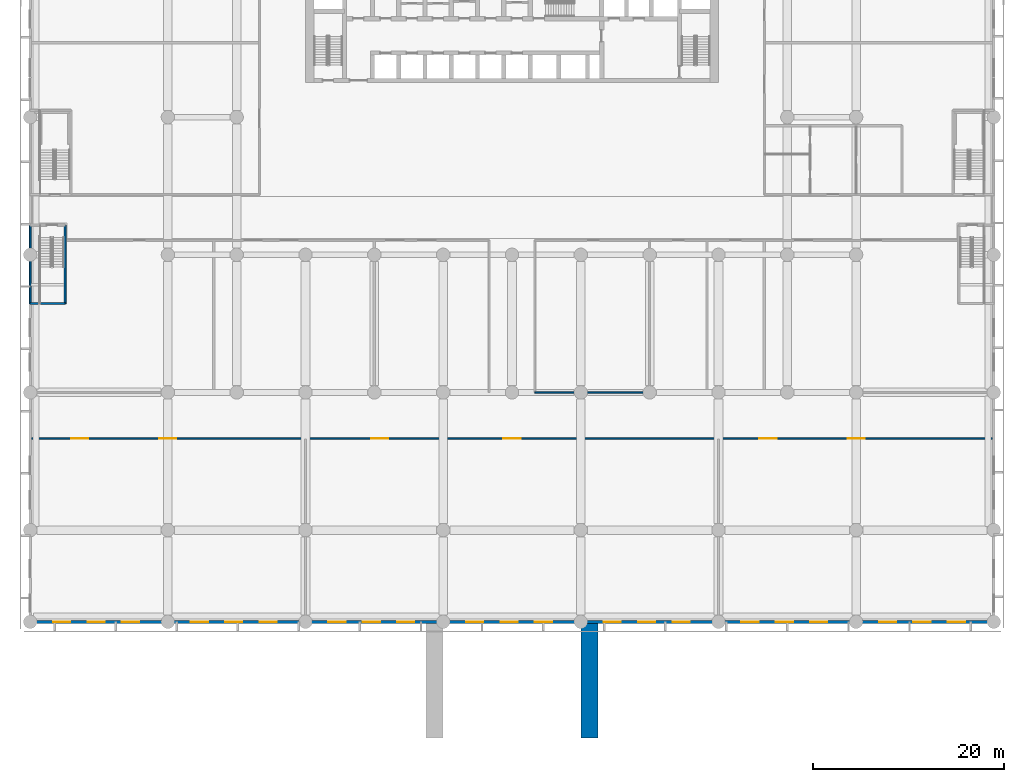
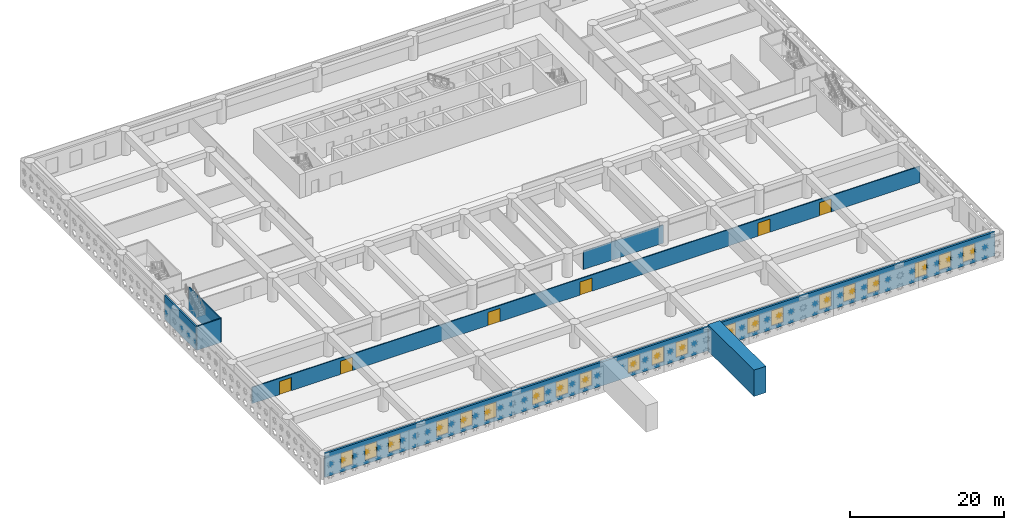
# One storey, part 3 of 23: 21 windows, 7 walls, 6 doors, 27 openings.
"""IFC4 building model written with IfcOpenShell, lengths in metres."""

from ifc_helpers import new_model, si_unit, direction, frame, frame_2d, origin, place, context, subcontext, project, spatial, rectangle, extrude, material, layer, layer_set, type_object, element, fill, save


model = new_model("IFC4")

# Units and contexts
model_context = context("Model", 3, precision=1e-05, world=origin(), true_north=direction((0.0, 1.0)))
body_context = subcontext(model_context, "Body", "Model", "MODEL_VIEW")
ifc_project = project(units=[si_unit("LENGTHUNIT", "METRE"), si_unit("AREAUNIT", "SQUARE_METRE"), si_unit("VOLUMEUNIT", "CUBIC_METRE"), si_unit("PLANEANGLEUNIT", "RADIAN"), si_unit("MASSUNIT", "GRAM", prefix="KILO")], contexts=[model_context])

# Site, building, storey
site_placement = place(None, origin())
site = spatial("IfcSite", under=ifc_project, at=site_placement, CompositionType="ELEMENT")
building_placement = place(site_placement, origin())
building = spatial("IfcBuilding", under=site, at=building_placement, Name="Saffron Iwan Residences", CompositionType="ELEMENT")
storey_placement = place(building_placement, frame((0.0, 0.0, 17.39990234375)))
storey = spatial("IfcBuildingStorey", under=building, at=storey_placement, Name="L03", CompositionType="ELEMENT", Elevation=17.39990234375)

# Wall, openings, doors
ifc_material_1 = material(Name="Concrete blockwork", Category="masonry")
ifc_layer_1 = layer(ifc_material_1, 0.14990234375)
ifc_layer_set_1 = layer_set([ifc_layer_1], Name="Concrete blockwork")
wall_type_1 = type_object("IfcWallType", Name="Blockwork partition 150", PredefinedType="PARTITIONING", material=ifc_layer_set_1)
wall_1_placement = place(storey_placement, frame((0.14990234375, 28.800048828125, 0.0), z_axis=(0.0, 0.0, 1.0), x_axis=(1.0, 0.0, 0.0)))
wall_1 = element("IfcWall", 1, at=wall_1_placement, inside=storey, type_object=wall_type_1, Name="W-L03-002", PredefinedType="PARTITIONING", context=body_context, shape_type="SweptSolid", body=[
    extrude(rectangle(XDim=100.5, YDim=0.14990234375, at=frame_2d((50.25, 0.0))), origin(), (0.0, 0.0, 1.0), 2.60009765625),
])
opening_1_placement = place(wall_1_placement, frame((13.35009765625, 0.0, 0.0)))
opening_1 = element("IfcOpeningElement", 2, at=opening_1_placement, cuts=wall_1, Name="Opening L03.01", PredefinedType="OPENING", context=body_context, shape_type="SweptSolid", body=[
    extrude(rectangle(XDim=1.800048828125, YDim=2.10009765625, at=frame_2d((0.89990234375, 1.050048828125))), frame((0.0, 0.0849609375, 0.0), z_axis=(0.0, -1.0, 0.0), x_axis=(1.0, 0.0, 0.0)), (0.0, 0.0, 1.0), 0.169921875),
])
opening_2_placement = place(wall_1_placement, frame((4.134033203125, 0.0, 0.0)))
opening_2 = element("IfcOpeningElement", 3, at=opening_2_placement, cuts=wall_1, Name="Opening L03.02", PredefinedType="OPENING", context=body_context, shape_type="SweptSolid", body=[
    extrude(rectangle(XDim=1.800048828125, YDim=2.10009765625, at=frame_2d((0.89990234375, 1.050048828125))), frame((0.0, 0.0849609375, 0.0), z_axis=(0.0, -1.0, 0.0), x_axis=(1.0, 0.0, 0.0)), (0.0, 0.0, 1.0), 0.169921875),
])
opening_3_placement = place(wall_1_placement, frame((49.35009765625, 0.0, 0.0)))
opening_3 = element("IfcOpeningElement", 4, at=opening_3_placement, cuts=wall_1, Name="Opening L03.03", PredefinedType="OPENING", context=body_context, shape_type="SweptSolid", body=[
    extrude(rectangle(XDim=1.800048828125, YDim=2.10009765625, at=frame_2d((0.89990234375, 1.050048828125))), frame((0.0, 0.0849609375, 0.0), z_axis=(0.0, -1.0, 0.0), x_axis=(1.0, 0.0, 0.0)), (0.0, 0.0, 1.0), 0.169921875),
])
opening_4_placement = place(wall_1_placement, frame((35.52587890625, 0.0, 0.0)))
opening_4 = element("IfcOpeningElement", 5, at=opening_4_placement, cuts=wall_1, Name="Opening L03.04", PredefinedType="OPENING", context=body_context, shape_type="SweptSolid", body=[
    extrude(rectangle(XDim=1.800048828125, YDim=2.10009765625, at=frame_2d((0.89990234375, 1.050048828125))), frame((0.0, 0.0849609375, 0.0), z_axis=(0.0, -1.0, 0.0), x_axis=(1.0, 0.0, 0.0)), (0.0, 0.0, 1.0), 0.169921875),
])
opening_5_placement = place(wall_1_placement, frame((85.35009765625, 0.0, 0.0)))
opening_5 = element("IfcOpeningElement", 6, at=opening_5_placement, cuts=wall_1, Name="Opening L03.05", PredefinedType="OPENING", context=body_context, shape_type="SweptSolid", body=[
    extrude(rectangle(XDim=1.800048828125, YDim=2.10009765625, at=frame_2d((0.89990234375, 1.050048828125))), frame((0.0, 0.0849609375, 0.0), z_axis=(0.0, -1.0, 0.0), x_axis=(1.0, 0.0, 0.0)), (0.0, 0.0, 1.0), 0.169921875),
])
opening_6_placement = place(wall_1_placement, frame((76.134033203125, 0.0, 0.0)))
opening_6 = element("IfcOpeningElement", 7, at=opening_6_placement, cuts=wall_1, Name="Opening L03.06", PredefinedType="OPENING", context=body_context, shape_type="SweptSolid", body=[
    extrude(rectangle(XDim=1.800048828125, YDim=2.10009765625, at=frame_2d((0.89990234375, 1.050048828125))), frame((0.0, 0.0849609375, 0.0), z_axis=(0.0, -1.0, 0.0), x_axis=(1.0, 0.0, 0.0)), (0.0, 0.0, 1.0), 0.169921875),
])
ifc_material_2 = material(Name="Timber", Category="wood")
door_type = type_object("IfcDoorType", Name="Door 1800x2100", OperationType="DOUBLE_DOOR_SINGLE_SWING", PredefinedType="DOOR", material=ifc_material_2)
door_1_placement = place(opening_1_placement, origin())
door_1 = element("IfcDoor", 8, at=door_1_placement, inside=storey, type_object=door_type, Name="D-L03-001", OperationType="DOUBLE_DOOR_SINGLE_SWING", OverallHeight=2.10009765625, OverallWidth=1.800048828125, PredefinedType="DOOR", context=body_context, shape_type="SweptSolid", body=[
    extrude(rectangle(XDim=1.800048828125, YDim=2.10009765625, at=frame_2d((0.89990234375, 1.050048828125))), frame((0.0, 0.02490234375, 0.0), z_axis=(0.0, -1.0, 0.0), x_axis=(1.0, 0.0, 0.0)), (0.0, 0.0, 1.0), 0.050048828125),
])
fill(opening_1, door_1)
door_2_placement = place(opening_2_placement, origin())
door_2 = element("IfcDoor", 9, at=door_2_placement, inside=storey, type_object=door_type, Name="D-L03-002", OperationType="DOUBLE_DOOR_SINGLE_SWING", OverallHeight=2.10009765625, OverallWidth=1.800048828125, PredefinedType="DOOR", context=body_context, shape_type="SweptSolid", body=[
    extrude(rectangle(XDim=1.800048828125, YDim=2.10009765625, at=frame_2d((0.89990234375, 1.050048828125))), frame((0.0, 0.02490234375, 0.0), z_axis=(0.0, -1.0, 0.0), x_axis=(1.0, 0.0, 0.0)), (0.0, 0.0, 1.0), 0.050048828125),
])
fill(opening_2, door_2)
door_3_placement = place(opening_3_placement, origin())
door_3 = element("IfcDoor", 10, at=door_3_placement, inside=storey, type_object=door_type, Name="D-L03-003", OperationType="DOUBLE_DOOR_SINGLE_SWING", OverallHeight=2.10009765625, OverallWidth=1.800048828125, PredefinedType="DOOR", context=body_context, shape_type="SweptSolid", body=[
    extrude(rectangle(XDim=1.800048828125, YDim=2.10009765625, at=frame_2d((0.89990234375, 1.050048828125))), frame((0.0, 0.02490234375, 0.0), z_axis=(0.0, -1.0, 0.0), x_axis=(1.0, 0.0, 0.0)), (0.0, 0.0, 1.0), 0.050048828125),
])
fill(opening_3, door_3)
door_4_placement = place(opening_4_placement, origin())
door_4 = element("IfcDoor", 11, at=door_4_placement, inside=storey, type_object=door_type, Name="D-L03-004", OperationType="DOUBLE_DOOR_SINGLE_SWING", OverallHeight=2.10009765625, OverallWidth=1.800048828125, PredefinedType="DOOR", context=body_context, shape_type="SweptSolid", body=[
    extrude(rectangle(XDim=1.800048828125, YDim=2.10009765625, at=frame_2d((0.89990234375, 1.050048828125))), frame((0.0, 0.02490234375, 0.0), z_axis=(0.0, -1.0, 0.0), x_axis=(1.0, 0.0, 0.0)), (0.0, 0.0, 1.0), 0.050048828125),
])
fill(opening_4, door_4)
door_5_placement = place(opening_5_placement, origin())
door_5 = element("IfcDoor", 12, at=door_5_placement, inside=storey, type_object=door_type, Name="D-L03-005", OperationType="DOUBLE_DOOR_SINGLE_SWING", OverallHeight=2.10009765625, OverallWidth=1.800048828125, PredefinedType="DOOR", context=body_context, shape_type="SweptSolid", body=[
    extrude(rectangle(XDim=1.800048828125, YDim=2.10009765625, at=frame_2d((0.89990234375, 1.050048828125))), frame((0.0, 0.02490234375, 0.0), z_axis=(0.0, -1.0, 0.0), x_axis=(1.0, 0.0, 0.0)), (0.0, 0.0, 1.0), 0.050048828125),
])
fill(opening_5, door_5)
door_6_placement = place(opening_6_placement, origin())
door_6 = element("IfcDoor", 13, at=door_6_placement, inside=storey, type_object=door_type, Name="D-L03-006", OperationType="DOUBLE_DOOR_SINGLE_SWING", OverallHeight=2.10009765625, OverallWidth=1.800048828125, PredefinedType="DOOR", context=body_context, shape_type="SweptSolid", body=[
    extrude(rectangle(XDim=1.800048828125, YDim=2.10009765625, at=frame_2d((0.89990234375, 1.050048828125))), frame((0.0, 0.02490234375, 0.0), z_axis=(0.0, -1.0, 0.0), x_axis=(1.0, 0.0, 0.0)), (0.0, 0.0, 1.0), 0.050048828125),
])
fill(opening_6, door_6)

# Wall
wall_2_placement = place(storey_placement, frame((52.800048828125, 33.60009765625, 0.0), z_axis=(0.0, 0.0, 1.0), x_axis=(1.0, 0.0, 0.0)))
element("IfcWall", 14, at=wall_2_placement, inside=storey, type_object=wall_type_1, Name="W-L03-005", PredefinedType="PARTITIONING", context=body_context, shape_type="SweptSolid", body=[
    extrude(rectangle(XDim=12.0, YDim=0.14990234375, at=frame_2d((6.0, 0.0))), origin(), (0.0, 0.0, 1.0), 2.900146484375),
])

# Wall, openings, windows
ifc_material_3 = material(Name="Precast concrete C40/50", Category="concrete")
ifc_layer_2 = layer(ifc_material_3, 0.300048828125)
ifc_layer_set_2 = layer_set([ifc_layer_2], Name="Precast concrete C40/50")
wall_type_2 = type_object("IfcWallType", Name="Podium external wall 300", PredefinedType="SOLIDWALL", material=ifc_layer_set_2)
wall_3_placement = place(storey_placement, frame((0.0, 9.60009765625, 0.0), z_axis=(0.0, 0.0, 1.0), x_axis=(1.0, 0.0, 0.0)))
wall_3 = element("IfcWall", 15, at=wall_3_placement, inside=storey, type_object=wall_type_2, Name="W-L03-001", PredefinedType="SOLIDWALL", context=body_context, shape_type="SweptSolid", body=[
    extrude(rectangle(XDim=100.800048828125, YDim=0.300048828125, at=frame_2d((50.39990234375, 0.0))), origin(), (0.0, 0.0, 1.0), 3.800048828125),
])
opening_7_placement = place(wall_3_placement, frame((2.39990234375, 0.0, 0.60009765625)))
opening_7 = element("IfcOpeningElement", 16, at=opening_7_placement, cuts=wall_3, Name="Opening W7", PredefinedType="OPENING", context=body_context, shape_type="SweptSolid", body=[
    extrude(rectangle(XDim=1.800048828125, YDim=2.39990234375, at=frame_2d((0.89990234375, 1.199951171875))), frame((0.0, 0.16015625, 0.0), z_axis=(0.0, -1.0, 0.0), x_axis=(1.0, 0.0, 0.0)), (0.0, 0.0, 1.0), 0.320068359375),
])
opening_8_placement = place(wall_3_placement, frame((6.0, 0.0, 0.60009765625)))
opening_8 = element("IfcOpeningElement", 17, at=opening_8_placement, cuts=wall_3, Name="Opening W7", PredefinedType="OPENING", context=body_context, shape_type="SweptSolid", body=[
    extrude(rectangle(XDim=1.800048828125, YDim=2.39990234375, at=frame_2d((0.89990234375, 1.199951171875))), frame((0.0, 0.16015625, 0.0), z_axis=(0.0, -1.0, 0.0), x_axis=(1.0, 0.0, 0.0)), (0.0, 0.0, 1.0), 0.320068359375),
])
opening_9_placement = place(wall_3_placement, frame((9.60009765625, 0.0, 0.60009765625)))
opening_9 = element("IfcOpeningElement", 18, at=opening_9_placement, cuts=wall_3, Name="Opening W7", PredefinedType="OPENING", context=body_context, shape_type="SweptSolid", body=[
    extrude(rectangle(XDim=1.800048828125, YDim=2.39990234375, at=frame_2d((0.89990234375, 1.199951171875))), frame((0.0, 0.16015625, 0.0), z_axis=(0.0, -1.0, 0.0), x_axis=(1.0, 0.0, 0.0)), (0.0, 0.0, 1.0), 0.320068359375),
])
opening_10_placement = place(wall_3_placement, frame((16.800048828125, 0.0, 0.60009765625)))
opening_10 = element("IfcOpeningElement", 19, at=opening_10_placement, cuts=wall_3, Name="Opening W7", PredefinedType="OPENING", context=body_context, shape_type="SweptSolid", body=[
    extrude(rectangle(XDim=1.800048828125, YDim=2.39990234375, at=frame_2d((0.89990234375, 1.199951171875))), frame((0.0, 0.16015625, 0.0), z_axis=(0.0, -1.0, 0.0), x_axis=(1.0, 0.0, 0.0)), (0.0, 0.0, 1.0), 0.320068359375),
])
opening_11_placement = place(wall_3_placement, frame((20.39990234375, 0.0, 0.60009765625)))
opening_11 = element("IfcOpeningElement", 20, at=opening_11_placement, cuts=wall_3, Name="Opening W7", PredefinedType="OPENING", context=body_context, shape_type="SweptSolid", body=[
    extrude(rectangle(XDim=1.800048828125, YDim=2.39990234375, at=frame_2d((0.89990234375, 1.199951171875))), frame((0.0, 0.16015625, 0.0), z_axis=(0.0, -1.0, 0.0), x_axis=(1.0, 0.0, 0.0)), (0.0, 0.0, 1.0), 0.320068359375),
])
opening_12_placement = place(wall_3_placement, frame((24.0, 0.0, 0.60009765625)))
opening_12 = element("IfcOpeningElement", 21, at=opening_12_placement, cuts=wall_3, Name="Opening W7", PredefinedType="OPENING", context=body_context, shape_type="SweptSolid", body=[
    extrude(rectangle(XDim=1.800048828125, YDim=2.39990234375, at=frame_2d((0.89990234375, 1.199951171875))), frame((0.0, 0.16015625, 0.0), z_axis=(0.0, -1.0, 0.0), x_axis=(1.0, 0.0, 0.0)), (0.0, 0.0, 1.0), 0.320068359375),
])
opening_13_placement = place(wall_3_placement, frame((31.199951171875, 0.0, 0.60009765625)))
opening_13 = element("IfcOpeningElement", 22, at=opening_13_placement, cuts=wall_3, Name="Opening W7", PredefinedType="OPENING", context=body_context, shape_type="SweptSolid", body=[
    extrude(rectangle(XDim=1.800048828125, YDim=2.39990234375, at=frame_2d((0.89990234375, 1.199951171875))), frame((0.0, 0.16015625, 0.0), z_axis=(0.0, -1.0, 0.0), x_axis=(1.0, 0.0, 0.0)), (0.0, 0.0, 1.0), 0.320068359375),
])
opening_14_placement = place(wall_3_placement, frame((34.800048828125, 0.0, 0.60009765625)))
opening_14 = element("IfcOpeningElement", 23, at=opening_14_placement, cuts=wall_3, Name="Opening W7", PredefinedType="OPENING", context=body_context, shape_type="SweptSolid", body=[
    extrude(rectangle(XDim=1.800048828125, YDim=2.39990234375, at=frame_2d((0.89990234375, 1.199951171875))), frame((0.0, 0.16015625, 0.0), z_axis=(0.0, -1.0, 0.0), x_axis=(1.0, 0.0, 0.0)), (0.0, 0.0, 1.0), 0.320068359375),
])
opening_15_placement = place(wall_3_placement, frame((38.39990234375, 0.0, 0.60009765625)))
opening_15 = element("IfcOpeningElement", 24, at=opening_15_placement, cuts=wall_3, Name="Opening W7", PredefinedType="OPENING", context=body_context, shape_type="SweptSolid", body=[
    extrude(rectangle(XDim=1.800048828125, YDim=2.39990234375, at=frame_2d((0.89990234375, 1.199951171875))), frame((0.0, 0.16015625, 0.0), z_axis=(0.0, -1.0, 0.0), x_axis=(1.0, 0.0, 0.0)), (0.0, 0.0, 1.0), 0.320068359375),
])
opening_16_placement = place(wall_3_placement, frame((45.60009765625, 0.0, 0.60009765625)))
opening_16 = element("IfcOpeningElement", 25, at=opening_16_placement, cuts=wall_3, Name="Opening W7", PredefinedType="OPENING", context=body_context, shape_type="SweptSolid", body=[
    extrude(rectangle(XDim=1.800048828125, YDim=2.39990234375, at=frame_2d((0.89990234375, 1.199951171875))), frame((0.0, 0.16015625, 0.0), z_axis=(0.0, -1.0, 0.0), x_axis=(1.0, 0.0, 0.0)), (0.0, 0.0, 1.0), 0.320068359375),
])
opening_17_placement = place(wall_3_placement, frame((49.199951171875, 0.0, 0.60009765625)))
opening_17 = element("IfcOpeningElement", 26, at=opening_17_placement, cuts=wall_3, Name="Opening W7", PredefinedType="OPENING", context=body_context, shape_type="SweptSolid", body=[
    extrude(rectangle(XDim=1.800048828125, YDim=2.39990234375, at=frame_2d((0.89990234375, 1.199951171875))), frame((0.0, 0.16015625, 0.0), z_axis=(0.0, -1.0, 0.0), x_axis=(1.0, 0.0, 0.0)), (0.0, 0.0, 1.0), 0.320068359375),
])
opening_18_placement = place(wall_3_placement, frame((52.800048828125, 0.0, 0.60009765625)))
opening_18 = element("IfcOpeningElement", 27, at=opening_18_placement, cuts=wall_3, Name="Opening W7", PredefinedType="OPENING", context=body_context, shape_type="SweptSolid", body=[
    extrude(rectangle(XDim=1.800048828125, YDim=2.39990234375, at=frame_2d((0.89990234375, 1.199951171875))), frame((0.0, 0.16015625, 0.0), z_axis=(0.0, -1.0, 0.0), x_axis=(1.0, 0.0, 0.0)), (0.0, 0.0, 1.0), 0.320068359375),
])
opening_19_placement = place(wall_3_placement, frame((60.0, 0.0, 0.60009765625)))
opening_19 = element("IfcOpeningElement", 28, at=opening_19_placement, cuts=wall_3, Name="Opening W7", PredefinedType="OPENING", context=body_context, shape_type="SweptSolid", body=[
    extrude(rectangle(XDim=1.800048828125, YDim=2.39990234375, at=frame_2d((0.89990234375, 1.199951171875))), frame((0.0, 0.16015625, 0.0), z_axis=(0.0, -1.0, 0.0), x_axis=(1.0, 0.0, 0.0)), (0.0, 0.0, 1.0), 0.320068359375),
])
opening_20_placement = place(wall_3_placement, frame((63.60009765625, 0.0, 0.60009765625)))
opening_20 = element("IfcOpeningElement", 29, at=opening_20_placement, cuts=wall_3, Name="Opening W7", PredefinedType="OPENING", context=body_context, shape_type="SweptSolid", body=[
    extrude(rectangle(XDim=1.800048828125, YDim=2.39990234375, at=frame_2d((0.89990234375, 1.199951171875))), frame((0.0, 0.16015625, 0.0), z_axis=(0.0, -1.0, 0.0), x_axis=(1.0, 0.0, 0.0)), (0.0, 0.0, 1.0), 0.320068359375),
])
opening_21_placement = place(wall_3_placement, frame((67.199951171875, 0.0, 0.60009765625)))
opening_21 = element("IfcOpeningElement", 30, at=opening_21_placement, cuts=wall_3, Name="Opening W7", PredefinedType="OPENING", context=body_context, shape_type="SweptSolid", body=[
    extrude(rectangle(XDim=1.800048828125, YDim=2.39990234375, at=frame_2d((0.89990234375, 1.199951171875))), frame((0.0, 0.16015625, 0.0), z_axis=(0.0, -1.0, 0.0), x_axis=(1.0, 0.0, 0.0)), (0.0, 0.0, 1.0), 0.320068359375),
])
opening_22_placement = place(wall_3_placement, frame((74.39990234375, 0.0, 0.60009765625)))
opening_22 = element("IfcOpeningElement", 31, at=opening_22_placement, cuts=wall_3, Name="Opening W7", PredefinedType="OPENING", context=body_context, shape_type="SweptSolid", body=[
    extrude(rectangle(XDim=1.800048828125, YDim=2.39990234375, at=frame_2d((0.89990234375, 1.199951171875))), frame((0.0, 0.16015625, 0.0), z_axis=(0.0, -1.0, 0.0), x_axis=(1.0, 0.0, 0.0)), (0.0, 0.0, 1.0), 0.320068359375),
])
opening_23_placement = place(wall_3_placement, frame((78.0, 0.0, 0.60009765625)))
opening_23 = element("IfcOpeningElement", 32, at=opening_23_placement, cuts=wall_3, Name="Opening W7", PredefinedType="OPENING", context=body_context, shape_type="SweptSolid", body=[
    extrude(rectangle(XDim=1.800048828125, YDim=2.39990234375, at=frame_2d((0.89990234375, 1.199951171875))), frame((0.0, 0.16015625, 0.0), z_axis=(0.0, -1.0, 0.0), x_axis=(1.0, 0.0, 0.0)), (0.0, 0.0, 1.0), 0.320068359375),
])
opening_24_placement = place(wall_3_placement, frame((81.60009765625, 0.0, 0.60009765625)))
opening_24 = element("IfcOpeningElement", 33, at=opening_24_placement, cuts=wall_3, Name="Opening W7", PredefinedType="OPENING", context=body_context, shape_type="SweptSolid", body=[
    extrude(rectangle(XDim=1.800048828125, YDim=2.39990234375, at=frame_2d((0.89990234375, 1.199951171875))), frame((0.0, 0.16015625, 0.0), z_axis=(0.0, -1.0, 0.0), x_axis=(1.0, 0.0, 0.0)), (0.0, 0.0, 1.0), 0.320068359375),
])
opening_25_placement = place(wall_3_placement, frame((88.800048828125, 0.0, 0.60009765625)))
opening_25 = element("IfcOpeningElement", 34, at=opening_25_placement, cuts=wall_3, Name="Opening W7", PredefinedType="OPENING", context=body_context, shape_type="SweptSolid", body=[
    extrude(rectangle(XDim=1.800048828125, YDim=2.39990234375, at=frame_2d((0.89990234375, 1.199951171875))), frame((0.0, 0.16015625, 0.0), z_axis=(0.0, -1.0, 0.0), x_axis=(1.0, 0.0, 0.0)), (0.0, 0.0, 1.0), 0.320068359375),
])
opening_26_placement = place(wall_3_placement, frame((92.39990234375, 0.0, 0.60009765625)))
opening_26 = element("IfcOpeningElement", 35, at=opening_26_placement, cuts=wall_3, Name="Opening W7", PredefinedType="OPENING", context=body_context, shape_type="SweptSolid", body=[
    extrude(rectangle(XDim=1.800048828125, YDim=2.39990234375, at=frame_2d((0.89990234375, 1.199951171875))), frame((0.0, 0.16015625, 0.0), z_axis=(0.0, -1.0, 0.0), x_axis=(1.0, 0.0, 0.0)), (0.0, 0.0, 1.0), 0.320068359375),
])
opening_27_placement = place(wall_3_placement, frame((96.0, 0.0, 0.60009765625)))
opening_27 = element("IfcOpeningElement", 36, at=opening_27_placement, cuts=wall_3, Name="Opening W7", PredefinedType="OPENING", context=body_context, shape_type="SweptSolid", body=[
    extrude(rectangle(XDim=1.800048828125, YDim=2.39990234375, at=frame_2d((0.89990234375, 1.199951171875))), frame((0.0, 0.16015625, 0.0), z_axis=(0.0, -1.0, 0.0), x_axis=(1.0, 0.0, 0.0)), (0.0, 0.0, 1.0), 0.320068359375),
])
ifc_material_4 = material(Name="Clear glass, laminated double glazed", Category="glass")
window_type = type_object("IfcWindowType", Name="WINDOW 1800 x 2400 PODIUM", PartitioningType="DOUBLE_PANEL_VERTICAL", PredefinedType="WINDOW", material=ifc_material_4)
window_1_placement = place(opening_7_placement, origin())
window_1 = element("IfcWindow", 37, at=window_1_placement, inside=storey, type_object=window_type, Name="Window L03 W-L03-001.0", OverallHeight=2.39990234375, OverallWidth=1.800048828125, PartitioningType="DOUBLE_PANEL_VERTICAL", PredefinedType="WINDOW", context=body_context, shape_type="SweptSolid", body=[
    extrude(rectangle(XDim=1.800048828125, YDim=2.39990234375, at=frame_2d((0.89990234375, 1.199951171875))), frame((0.0, 0.030029296875, 0.0), z_axis=(0.0, -1.0, 0.0), x_axis=(1.0, 0.0, 0.0)), (0.0, 0.0, 1.0), 0.06005859375),
])
fill(opening_7, window_1)
window_2_placement = place(opening_8_placement, origin())
window_2 = element("IfcWindow", 38, at=window_2_placement, inside=storey, type_object=window_type, Name="Window L03 W-L03-001.1", OverallHeight=2.39990234375, OverallWidth=1.800048828125, PartitioningType="DOUBLE_PANEL_VERTICAL", PredefinedType="WINDOW", context=body_context, shape_type="SweptSolid", body=[
    extrude(rectangle(XDim=1.800048828125, YDim=2.39990234375, at=frame_2d((0.89990234375, 1.199951171875))), frame((0.0, 0.030029296875, 0.0), z_axis=(0.0, -1.0, 0.0), x_axis=(1.0, 0.0, 0.0)), (0.0, 0.0, 1.0), 0.06005859375),
])
fill(opening_8, window_2)
window_3_placement = place(opening_9_placement, origin())
window_3 = element("IfcWindow", 39, at=window_3_placement, inside=storey, type_object=window_type, Name="Window L03 W-L03-001.2", OverallHeight=2.39990234375, OverallWidth=1.800048828125, PartitioningType="DOUBLE_PANEL_VERTICAL", PredefinedType="WINDOW", context=body_context, shape_type="SweptSolid", body=[
    extrude(rectangle(XDim=1.800048828125, YDim=2.39990234375, at=frame_2d((0.89990234375, 1.199951171875))), frame((0.0, 0.030029296875, 0.0), z_axis=(0.0, -1.0, 0.0), x_axis=(1.0, 0.0, 0.0)), (0.0, 0.0, 1.0), 0.06005859375),
])
fill(opening_9, window_3)
window_4_placement = place(opening_10_placement, origin())
window_4 = element("IfcWindow", 40, at=window_4_placement, inside=storey, type_object=window_type, Name="Window L03 W-L03-001.3", OverallHeight=2.39990234375, OverallWidth=1.800048828125, PartitioningType="DOUBLE_PANEL_VERTICAL", PredefinedType="WINDOW", context=body_context, shape_type="SweptSolid", body=[
    extrude(rectangle(XDim=1.800048828125, YDim=2.39990234375, at=frame_2d((0.89990234375, 1.199951171875))), frame((0.0, 0.030029296875, 0.0), z_axis=(0.0, -1.0, 0.0), x_axis=(1.0, 0.0, 0.0)), (0.0, 0.0, 1.0), 0.06005859375),
])
fill(opening_10, window_4)
window_5_placement = place(opening_11_placement, origin())
window_5 = element("IfcWindow", 41, at=window_5_placement, inside=storey, type_object=window_type, Name="Window L03 W-L03-001.4", OverallHeight=2.39990234375, OverallWidth=1.800048828125, PartitioningType="DOUBLE_PANEL_VERTICAL", PredefinedType="WINDOW", context=body_context, shape_type="SweptSolid", body=[
    extrude(rectangle(XDim=1.800048828125, YDim=2.39990234375, at=frame_2d((0.89990234375, 1.199951171875))), frame((0.0, 0.030029296875, 0.0), z_axis=(0.0, -1.0, 0.0), x_axis=(1.0, 0.0, 0.0)), (0.0, 0.0, 1.0), 0.06005859375),
])
fill(opening_11, window_5)
window_6_placement = place(opening_12_placement, origin())
window_6 = element("IfcWindow", 42, at=window_6_placement, inside=storey, type_object=window_type, Name="Window L03 W-L03-001.5", OverallHeight=2.39990234375, OverallWidth=1.800048828125, PartitioningType="DOUBLE_PANEL_VERTICAL", PredefinedType="WINDOW", context=body_context, shape_type="SweptSolid", body=[
    extrude(rectangle(XDim=1.800048828125, YDim=2.39990234375, at=frame_2d((0.89990234375, 1.199951171875))), frame((0.0, 0.030029296875, 0.0), z_axis=(0.0, -1.0, 0.0), x_axis=(1.0, 0.0, 0.0)), (0.0, 0.0, 1.0), 0.06005859375),
])
fill(opening_12, window_6)
window_7_placement = place(opening_13_placement, origin())
window_7 = element("IfcWindow", 43, at=window_7_placement, inside=storey, type_object=window_type, Name="Window L03 W-L03-001.6", OverallHeight=2.39990234375, OverallWidth=1.800048828125, PartitioningType="DOUBLE_PANEL_VERTICAL", PredefinedType="WINDOW", context=body_context, shape_type="SweptSolid", body=[
    extrude(rectangle(XDim=1.800048828125, YDim=2.39990234375, at=frame_2d((0.89990234375, 1.199951171875))), frame((0.0, 0.030029296875, 0.0), z_axis=(0.0, -1.0, 0.0), x_axis=(1.0, 0.0, 0.0)), (0.0, 0.0, 1.0), 0.06005859375),
])
fill(opening_13, window_7)
window_8_placement = place(opening_14_placement, origin())
window_8 = element("IfcWindow", 44, at=window_8_placement, inside=storey, type_object=window_type, Name="Window L03 W-L03-001.7", OverallHeight=2.39990234375, OverallWidth=1.800048828125, PartitioningType="DOUBLE_PANEL_VERTICAL", PredefinedType="WINDOW", context=body_context, shape_type="SweptSolid", body=[
    extrude(rectangle(XDim=1.800048828125, YDim=2.39990234375, at=frame_2d((0.89990234375, 1.199951171875))), frame((0.0, 0.030029296875, 0.0), z_axis=(0.0, -1.0, 0.0), x_axis=(1.0, 0.0, 0.0)), (0.0, 0.0, 1.0), 0.06005859375),
])
fill(opening_14, window_8)
window_9_placement = place(opening_15_placement, origin())
window_9 = element("IfcWindow", 45, at=window_9_placement, inside=storey, type_object=window_type, Name="Window L03 W-L03-001.8", OverallHeight=2.39990234375, OverallWidth=1.800048828125, PartitioningType="DOUBLE_PANEL_VERTICAL", PredefinedType="WINDOW", context=body_context, shape_type="SweptSolid", body=[
    extrude(rectangle(XDim=1.800048828125, YDim=2.39990234375, at=frame_2d((0.89990234375, 1.199951171875))), frame((0.0, 0.030029296875, 0.0), z_axis=(0.0, -1.0, 0.0), x_axis=(1.0, 0.0, 0.0)), (0.0, 0.0, 1.0), 0.06005859375),
])
fill(opening_15, window_9)
window_10_placement = place(opening_16_placement, origin())
window_10 = element("IfcWindow", 46, at=window_10_placement, inside=storey, type_object=window_type, Name="Window L03 W-L03-001.9", OverallHeight=2.39990234375, OverallWidth=1.800048828125, PartitioningType="DOUBLE_PANEL_VERTICAL", PredefinedType="WINDOW", context=body_context, shape_type="SweptSolid", body=[
    extrude(rectangle(XDim=1.800048828125, YDim=2.39990234375, at=frame_2d((0.89990234375, 1.199951171875))), frame((0.0, 0.030029296875, 0.0), z_axis=(0.0, -1.0, 0.0), x_axis=(1.0, 0.0, 0.0)), (0.0, 0.0, 1.0), 0.06005859375),
])
fill(opening_16, window_10)
window_11_placement = place(opening_17_placement, origin())
window_11 = element("IfcWindow", 47, at=window_11_placement, inside=storey, type_object=window_type, Name="Window L03 W-L03-001.10", OverallHeight=2.39990234375, OverallWidth=1.800048828125, PartitioningType="DOUBLE_PANEL_VERTICAL", PredefinedType="WINDOW", context=body_context, shape_type="SweptSolid", body=[
    extrude(rectangle(XDim=1.800048828125, YDim=2.39990234375, at=frame_2d((0.89990234375, 1.199951171875))), frame((0.0, 0.030029296875, 0.0), z_axis=(0.0, -1.0, 0.0), x_axis=(1.0, 0.0, 0.0)), (0.0, 0.0, 1.0), 0.06005859375),
])
fill(opening_17, window_11)
window_12_placement = place(opening_18_placement, origin())
window_12 = element("IfcWindow", 48, at=window_12_placement, inside=storey, type_object=window_type, Name="Window L03 W-L03-001.11", OverallHeight=2.39990234375, OverallWidth=1.800048828125, PartitioningType="DOUBLE_PANEL_VERTICAL", PredefinedType="WINDOW", context=body_context, shape_type="SweptSolid", body=[
    extrude(rectangle(XDim=1.800048828125, YDim=2.39990234375, at=frame_2d((0.89990234375, 1.199951171875))), frame((0.0, 0.030029296875, 0.0), z_axis=(0.0, -1.0, 0.0), x_axis=(1.0, 0.0, 0.0)), (0.0, 0.0, 1.0), 0.06005859375),
])
fill(opening_18, window_12)
window_13_placement = place(opening_19_placement, origin())
window_13 = element("IfcWindow", 49, at=window_13_placement, inside=storey, type_object=window_type, Name="Window L03 W-L03-001.12", OverallHeight=2.39990234375, OverallWidth=1.800048828125, PartitioningType="DOUBLE_PANEL_VERTICAL", PredefinedType="WINDOW", context=body_context, shape_type="SweptSolid", body=[
    extrude(rectangle(XDim=1.800048828125, YDim=2.39990234375, at=frame_2d((0.89990234375, 1.199951171875))), frame((0.0, 0.030029296875, 0.0), z_axis=(0.0, -1.0, 0.0), x_axis=(1.0, 0.0, 0.0)), (0.0, 0.0, 1.0), 0.06005859375),
])
fill(opening_19, window_13)
window_14_placement = place(opening_20_placement, origin())
window_14 = element("IfcWindow", 50, at=window_14_placement, inside=storey, type_object=window_type, Name="Window L03 W-L03-001.13", OverallHeight=2.39990234375, OverallWidth=1.800048828125, PartitioningType="DOUBLE_PANEL_VERTICAL", PredefinedType="WINDOW", context=body_context, shape_type="SweptSolid", body=[
    extrude(rectangle(XDim=1.800048828125, YDim=2.39990234375, at=frame_2d((0.89990234375, 1.199951171875))), frame((0.0, 0.030029296875, 0.0), z_axis=(0.0, -1.0, 0.0), x_axis=(1.0, 0.0, 0.0)), (0.0, 0.0, 1.0), 0.06005859375),
])
fill(opening_20, window_14)
window_15_placement = place(opening_21_placement, origin())
window_15 = element("IfcWindow", 51, at=window_15_placement, inside=storey, type_object=window_type, Name="Window L03 W-L03-001.14", OverallHeight=2.39990234375, OverallWidth=1.800048828125, PartitioningType="DOUBLE_PANEL_VERTICAL", PredefinedType="WINDOW", context=body_context, shape_type="SweptSolid", body=[
    extrude(rectangle(XDim=1.800048828125, YDim=2.39990234375, at=frame_2d((0.89990234375, 1.199951171875))), frame((0.0, 0.030029296875, 0.0), z_axis=(0.0, -1.0, 0.0), x_axis=(1.0, 0.0, 0.0)), (0.0, 0.0, 1.0), 0.06005859375),
])
fill(opening_21, window_15)
window_16_placement = place(opening_22_placement, origin())
window_16 = element("IfcWindow", 52, at=window_16_placement, inside=storey, type_object=window_type, Name="Window L03 W-L03-001.15", OverallHeight=2.39990234375, OverallWidth=1.800048828125, PartitioningType="DOUBLE_PANEL_VERTICAL", PredefinedType="WINDOW", context=body_context, shape_type="SweptSolid", body=[
    extrude(rectangle(XDim=1.800048828125, YDim=2.39990234375, at=frame_2d((0.89990234375, 1.199951171875))), frame((0.0, 0.030029296875, 0.0), z_axis=(0.0, -1.0, 0.0), x_axis=(1.0, 0.0, 0.0)), (0.0, 0.0, 1.0), 0.06005859375),
])
fill(opening_22, window_16)
window_17_placement = place(opening_23_placement, origin())
window_17 = element("IfcWindow", 53, at=window_17_placement, inside=storey, type_object=window_type, Name="Window L03 W-L03-001.16", OverallHeight=2.39990234375, OverallWidth=1.800048828125, PartitioningType="DOUBLE_PANEL_VERTICAL", PredefinedType="WINDOW", context=body_context, shape_type="SweptSolid", body=[
    extrude(rectangle(XDim=1.800048828125, YDim=2.39990234375, at=frame_2d((0.89990234375, 1.199951171875))), frame((0.0, 0.030029296875, 0.0), z_axis=(0.0, -1.0, 0.0), x_axis=(1.0, 0.0, 0.0)), (0.0, 0.0, 1.0), 0.06005859375),
])
fill(opening_23, window_17)
window_18_placement = place(opening_24_placement, origin())
window_18 = element("IfcWindow", 54, at=window_18_placement, inside=storey, type_object=window_type, Name="Window L03 W-L03-001.17", OverallHeight=2.39990234375, OverallWidth=1.800048828125, PartitioningType="DOUBLE_PANEL_VERTICAL", PredefinedType="WINDOW", context=body_context, shape_type="SweptSolid", body=[
    extrude(rectangle(XDim=1.800048828125, YDim=2.39990234375, at=frame_2d((0.89990234375, 1.199951171875))), frame((0.0, 0.030029296875, 0.0), z_axis=(0.0, -1.0, 0.0), x_axis=(1.0, 0.0, 0.0)), (0.0, 0.0, 1.0), 0.06005859375),
])
fill(opening_24, window_18)
window_19_placement = place(opening_25_placement, origin())
window_19 = element("IfcWindow", 55, at=window_19_placement, inside=storey, type_object=window_type, Name="Window L03 W-L03-001.18", OverallHeight=2.39990234375, OverallWidth=1.800048828125, PartitioningType="DOUBLE_PANEL_VERTICAL", PredefinedType="WINDOW", context=body_context, shape_type="SweptSolid", body=[
    extrude(rectangle(XDim=1.800048828125, YDim=2.39990234375, at=frame_2d((0.89990234375, 1.199951171875))), frame((0.0, 0.030029296875, 0.0), z_axis=(0.0, -1.0, 0.0), x_axis=(1.0, 0.0, 0.0)), (0.0, 0.0, 1.0), 0.06005859375),
])
fill(opening_25, window_19)
window_20_placement = place(opening_26_placement, origin())
window_20 = element("IfcWindow", 56, at=window_20_placement, inside=storey, type_object=window_type, Name="Window L03 W-L03-001.19", OverallHeight=2.39990234375, OverallWidth=1.800048828125, PartitioningType="DOUBLE_PANEL_VERTICAL", PredefinedType="WINDOW", context=body_context, shape_type="SweptSolid", body=[
    extrude(rectangle(XDim=1.800048828125, YDim=2.39990234375, at=frame_2d((0.89990234375, 1.199951171875))), frame((0.0, 0.030029296875, 0.0), z_axis=(0.0, -1.0, 0.0), x_axis=(1.0, 0.0, 0.0)), (0.0, 0.0, 1.0), 0.06005859375),
])
fill(opening_26, window_20)
window_21_placement = place(opening_27_placement, origin())
window_21 = element("IfcWindow", 57, at=window_21_placement, inside=storey, type_object=window_type, Name="Window L03 W-L03-001.20", OverallHeight=2.39990234375, OverallWidth=1.800048828125, PartitioningType="DOUBLE_PANEL_VERTICAL", PredefinedType="WINDOW", context=body_context, shape_type="SweptSolid", body=[
    extrude(rectangle(XDim=1.800048828125, YDim=2.39990234375, at=frame_2d((0.89990234375, 1.199951171875))), frame((0.0, 0.030029296875, 0.0), z_axis=(0.0, -1.0, 0.0), x_axis=(1.0, 0.0, 0.0)), (0.0, 0.0, 1.0), 0.06005859375),
])
fill(opening_27, window_21)

# Walls
ifc_material_5 = material(Name="Terracotta coloured precast concrete C40/50", Category="masonry")
ifc_layer_3 = layer(ifc_material_5, 1.800048828125)
ifc_layer_set_3 = layer_set([ifc_layer_3], Name="Terracotta coloured precast concrete C40/50")
wall_type_3 = type_object("IfcWallType", Name="Portal pier, precast concrete 1800", PredefinedType="SOLIDWALL", material=ifc_layer_set_3)
wall_4_placement = place(storey_placement, frame((58.5, -2.550048828125, 0.0), z_axis=(0.0, 0.0, 1.0), x_axis=(0.0, 1.0, 0.0)))
element("IfcWall", 58, at=wall_4_placement, inside=storey, type_object=wall_type_3, Name="Portal pier E L03", PredefinedType="SOLIDWALL", context=body_context, shape_type="SweptSolid", body=[
    extrude(rectangle(XDim=12.0, YDim=1.800048828125, at=frame_2d((6.0, 0.0))), origin(), (0.0, 0.0, 1.0), 4.2001953125),
])
ifc_material_6 = material(Name="Concrete C40/50", Category="concrete")
ifc_layer_4 = layer(ifc_material_6, 0.199951171875)
ifc_layer_set_4 = layer_set([ifc_layer_4], Name="Concrete C40/50")
wall_type_4 = type_object("IfcWallType", Name="Reinforced concrete stair wall 200", PredefinedType="SOLIDWALL", material=ifc_layer_set_4)
wall_5_placement = place(storey_placement, frame((0.0, 42.89990234375, 0.0), z_axis=(0.0, 0.0, 1.0), x_axis=(1.0, 0.0, 0.0)))
element("IfcWall", 59, at=wall_5_placement, inside=storey, type_object=wall_type_4, Name="W-L03-006", PredefinedType="SOLIDWALL", context=body_context, shape_type="SweptSolid", body=[
    extrude(rectangle(XDim=3.64990234375, YDim=0.199951171875, at=frame_2d((1.824951171875, 0.0))), origin(), (0.0, 0.0, 1.0), 3.800048828125),
])
for number, where, z_axis, x_axis, name in (
    (60, (0.0, 42.89990234375, 0.0), (0.0, 0.0, 1.0), (0.0, 1.0, 0.0), "W-L03-028"),
    (61, (3.64990234375, 42.89990234375, 0.0), (0.0, 0.0, 1.0), (0.0, 1.0, 0.0), "W-L03-030"),
):
    element("IfcWall", number, at=place(storey_placement, frame(where, z_axis=z_axis, x_axis=x_axis)), inside=storey, type_object=wall_type_4, Name=name, PredefinedType="SOLIDWALL", context=body_context, shape_type="SweptSolid", body=[
        extrude(rectangle(XDim=8.2001953125, YDim=0.199951171875, at=frame_2d((4.10009765625, 0.0))), origin(), (0.0, 0.0, 1.0), 3.800048828125),
    ])

save(model, "model.ifc")
